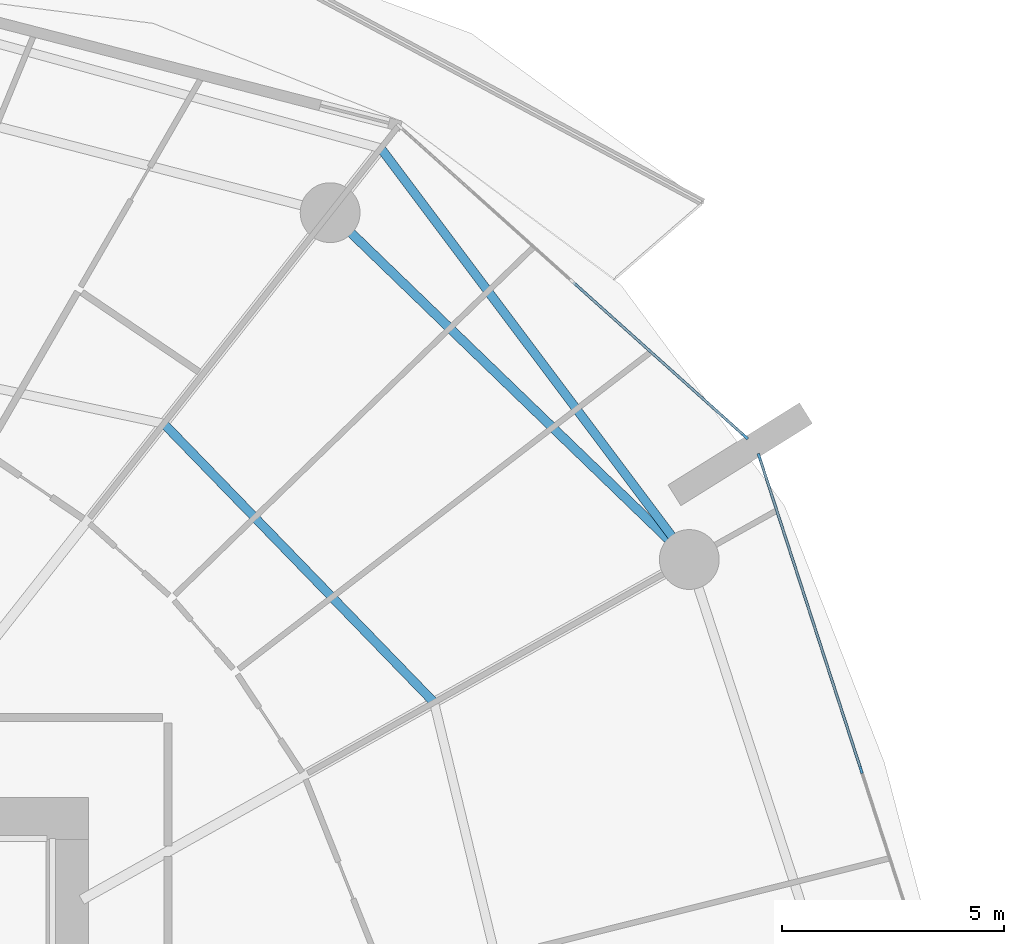
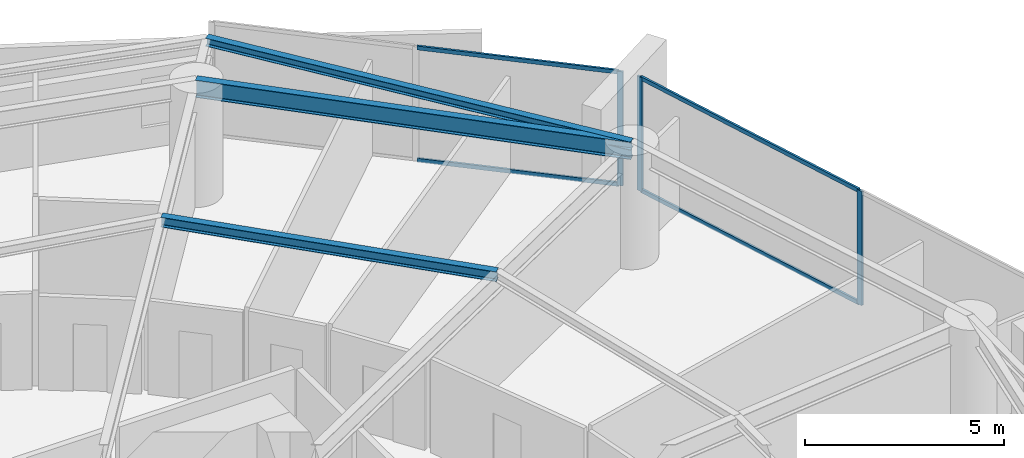
# One storey, part 15 of 31: 7 members, 3 beams, 2 elements without a shape of their own.
"""IFC4 building model written with IfcOpenShell, lengths in metres."""

from ifc_helpers import new_model, si_unit, direction, frame, origin, origin_2d, place, context, subcontext, project, spatial, rectangle, i_section, extrude, material, layer, layer_set, material_profile, profile_set, type_object, element, aggregate, save


model = new_model("IFC4")

# Units and contexts
model_context = context("Model", 3, precision=1e-05, world=origin(), true_north=direction((0.0, 1.0)))
body_context = subcontext(model_context, "Body", "Model", "MODEL_VIEW")
ifc_project = project(units=[si_unit("LENGTHUNIT", "METRE"), si_unit("AREAUNIT", "SQUARE_METRE"), si_unit("VOLUMEUNIT", "CUBIC_METRE"), si_unit("PLANEANGLEUNIT", "RADIAN"), si_unit("MASSUNIT", "GRAM", prefix="KILO")], contexts=[model_context])

# Site, building, storey
site_placement = place(None, origin())
site = spatial("IfcSite", under=ifc_project, at=site_placement, CompositionType="ELEMENT")
building_placement = place(site_placement, origin())
building = spatial("IfcBuilding", under=site, at=building_placement, Name="Kazma Halo Residences", CompositionType="ELEMENT")
storey_placement = place(building_placement, frame((0.0, 0.0, 45.14990234375)))
storey = spatial("IfcBuildingStorey", under=building, at=storey_placement, Name="L10", CompositionType="ELEMENT", Elevation=45.14990234375)

# Beams
ifc_material_1 = material(Name="Steel S355", Category="steel")
ifc_material_profile_1 = material_profile(ifc_material_1, i_section(OverallWidth=0.201904296875, OverallDepth=0.2470703125, WebThickness=0.00732421875, FlangeThickness=0.010986328125, FilletRadius=0.011962890625, at=origin_2d()), Name="W250x49.1")
ifc_profile_set_1 = profile_set([ifc_material_profile_1], Name="Steel S355")
beam_type_1 = type_object("IfcBeamType", Name="BM-BAL-CANT", PredefinedType="BEAM", material=ifc_profile_set_1)
beam_1_placement = place(storey_placement, frame((73.56494140625, 56.317138671875, 3.376708984375), z_axis=(-0.600026935007, 0.799979798037, 0.0), x_axis=(-0.799979798037, -0.600026935007, 0.0)))
element("IfcBeam", 1, at=beam_1_placement, inside=storey, type_object=beam_type_1, Name="L10 wave-balcony lead tie beam 01", PredefinedType="BEAM", context=body_context, shape_type="SweptSolid", body=[
    extrude(i_section(OverallWidth=0.201904296875, OverallDepth=0.2470703125, WebThickness=0.00732421875, FlangeThickness=0.010986328125, FilletRadius=0.011962890625, at=origin_2d()), origin(), (0.0, 0.0, 1.0), 11.601806640625),
])
ifc_material_profile_2 = material_profile(ifc_material_1, i_section(OverallWidth=0.202880859375, OverallDepth=0.302978515625, WebThickness=0.007568359375, FlangeThickness=0.01318359375, FilletRadius=0.013916015625, at=origin_2d()), Name="W310x60")
ifc_profile_set_2 = profile_set([ifc_material_profile_2], Name="Steel S355")
beam_type_2 = type_object("IfcBeamType", Name="BM-SEC-W310A", PredefinedType="JOIST", material=ifc_profile_set_2)
beam_2_placement = place(storey_placement, frame((67.8046875, 53.09130859375, 3.3486328125), z_axis=(-0.696130608567, 0.717915159205, 0.0), x_axis=(-0.717915159205, -0.696130608567, 0.0)))
element("IfcBeam", 2, at=beam_2_placement, inside=storey, type_object=beam_type_2, Name="L10 circumferential floor joist 01", PredefinedType="JOIST", context=body_context, shape_type="SweptSolid", body=[
    extrude(i_section(OverallWidth=0.202880859375, OverallDepth=0.302978515625, WebThickness=0.007568359375, FlangeThickness=0.01318359375, FilletRadius=0.013916015625, at=origin_2d()), origin(), (0.0, 0.0, 1.0), 8.763916015625),
])
ifc_material_profile_3 = material_profile(ifc_material_1, i_section(OverallWidth=0.208984375, OverallDepth=0.532958984375, WebThickness=0.01025390625, FlangeThickness=0.015625, FilletRadius=0.01611328125, at=origin_2d()), Name="W530x92")
ifc_profile_set_3 = profile_set([ifc_material_profile_3], Name="Steel S355")
beam_type_3 = type_object("IfcBeamType", Name="BM-SPN-W530", PredefinedType="BEAM", material=ifc_profile_set_3)
beam_3_placement = place(storey_placement, frame((73.56494140625, 56.317138671875, 3.233642578125), z_axis=(-0.719336506967, 0.694661780829, 0.0), x_axis=(-0.694661780829, -0.719336506967, 0.0)))
element("IfcBeam", 3, at=beam_3_placement, inside=storey, type_object=beam_type_3, Name="L10 perimeter ring beam 01", PredefinedType="BEAM", context=body_context, shape_type="SweptSolid", body=[
    extrude(i_section(OverallWidth=0.208984375, OverallDepth=0.532958984375, WebThickness=0.01025390625, FlangeThickness=0.015625, FilletRadius=0.01611328125, at=origin_2d()), origin(), (0.0, 0.0, 1.0), 11.269775390625),
])

# Curtain wall, member
ifc_material_2 = material(Name="Aluminium AW-6063 T6 and Triple-Silver Low-E Glass", Category="aluminium")
ifc_layer = layer(ifc_material_2, 0.159912109375)
ifc_layer_set = layer_set([ifc_layer], Name="Aluminium AW-6063 T6 and Triple-Silver Low-E Glass")
curtain_wall_type = type_object("IfcCurtainWallType", Name="CW-SYS-2", PredefinedType="NOTDEFINED", material=ifc_layer_set)
curtain_wall_1_placement = place(storey_placement, origin())
curtain_wall_1 = element("IfcCurtainWall", 4, at=curtain_wall_1_placement, inside=storey, type_object=curtain_wall_type, Name="L10 unitised curtain wall B01", PredefinedType="NOTDEFINED")
ifc_material_3 = material(Name="Aluminium AW-6063 T6", Category="aluminium")
ifc_material_profile_4 = material_profile(ifc_material_3, rectangle(XDim=0.06005859375, YDim=0.159912109375, at=origin_2d()), Name="CWM-60x160")
ifc_profile_set_4 = profile_set([ifc_material_profile_4], Name="Aluminium AW-6063 T6")
member_type_1 = type_object("IfcMemberType", Name="CW-SYS-2-MUL", PredefinedType="MULLION", material=ifc_profile_set_4)
member_1_placement = place(storey_placement, frame((74.82666015625, 59.091796875, 0.0), z_axis=(0.0, 0.0, 1.0), x_axis=(-0.667821453854, -0.744321506993, 0.0)))
member_1 = element("IfcMember", 5, at=member_1_placement, type_object=member_type_1, Name="CWS-2 mullion 1", PredefinedType="MULLION", context=body_context, shape_type="SweptSolid", body=[
    extrude(rectangle(XDim=0.06005859375, YDim=0.159912109375, at=origin_2d()), origin(), (0.0, 0.0, 1.0), 3.5),
])

# Curtain wall, members
curtain_wall_2_placement = place(storey_placement, origin())
curtain_wall_2 = element("IfcCurtainWall", 6, at=curtain_wall_2_placement, inside=storey, type_object=curtain_wall_type, Name="L10 unitised curtain wall B16", PredefinedType="NOTDEFINED")
member_2_placement = place(storey_placement, frame((77.44189453125, 51.56640625, 0.0), z_axis=(0.0, 0.0, 1.0), x_axis=(-0.95105652404, -0.309016970539, 0.0)))
member_2 = element("IfcMember", 7, at=member_2_placement, type_object=member_type_1, Name="CWS-2 mullion 2", PredefinedType="MULLION", context=body_context, shape_type="SweptSolid", body=[
    extrude(rectangle(XDim=0.06005859375, YDim=0.159912109375, at=origin_2d()), origin(), (0.0, 0.0, 1.0), 3.5),
])
member_3_placement = place(storey_placement, frame((75.145751953125, 58.63330078125, 0.0), z_axis=(0.0, 0.0, 1.0), x_axis=(-0.95105652404, -0.309016970539, 0.0)))
member_3 = element("IfcMember", 8, at=member_3_placement, type_object=member_type_1, Name="CWS-2 mullion 3", PredefinedType="MULLION", context=body_context, shape_type="SweptSolid", body=[
    extrude(rectangle(XDim=0.06005859375, YDim=0.159912109375, at=origin_2d()), origin(), (0.0, 0.0, 1.0), 3.5),
])

# Member
ifc_material_profile_5 = material_profile(ifc_material_3, rectangle(XDim=0.06005859375, YDim=0.1201171875, at=origin_2d()), Name="CWT-60x120")
ifc_profile_set_5 = profile_set([ifc_material_profile_5], Name="Aluminium AW-6063 T6")
member_type_2 = type_object("IfcMemberType", Name="CW-SYS-2-TRN", PredefinedType="USERDEFINED", material=ifc_profile_set_5)
member_4_placement = place(storey_placement, frame((74.80419921875, 59.11181640625, 0.030029296875), z_axis=(-0.744329408538, 0.66781264707, 0.0), x_axis=(-0.66781264707, -0.744329408538, 0.0)))
member_4 = element("IfcMember", 9, at=member_4_placement, type_object=member_type_2, Name="CWS-2 transom 1.1", ObjectType="TRANSOM", PredefinedType="USERDEFINED", context=body_context, shape_type="SweptSolid", body=[
    extrude(rectangle(XDim=0.06005859375, YDim=0.1201171875, at=origin_2d()), origin(), (0.0, 0.0, 1.0), 5.178466796875),
])

member_5_placement = place(storey_placement, frame((74.80419921875, 59.11181640625, 3.47021484375), z_axis=(-0.744329408538, 0.66781264707, 0.0), x_axis=(-0.66781264707, -0.744329408538, 0.0)))
member_5 = element("IfcMember", 10, at=member_5_placement, type_object=member_type_2, Name="CWS-2 transom 1.2", ObjectType="TRANSOM", PredefinedType="USERDEFINED", context=body_context, shape_type="SweptSolid", body=[
    extrude(rectangle(XDim=0.06005859375, YDim=0.1201171875, at=origin_2d()), origin(), (0.0, 0.0, 1.0), 5.178466796875),
])

aggregate(curtain_wall_1, [member_1, member_4, member_5])

member_6_placement = place(storey_placement, frame((77.4326171875, 51.5947265625, 0.030029296875), z_axis=(-0.309004433966, 0.951060597328, 0.0), x_axis=(-0.951060597328, -0.309004433966, 0.0)))
member_6 = element("IfcMember", 11, at=member_6_placement, type_object=member_type_2, Name="CWS-2 transom 2.1", ObjectType="TRANSOM", PredefinedType="USERDEFINED", context=body_context, shape_type="SweptSolid", body=[
    extrude(rectangle(XDim=0.06005859375, YDim=0.1201171875, at=origin_2d()), origin(), (0.0, 0.0, 1.0), 7.370849609375),
])

member_7_placement = place(storey_placement, frame((77.4326171875, 51.5947265625, 3.47021484375), z_axis=(-0.309004433966, 0.951060597328, 0.0), x_axis=(-0.951060597328, -0.309004433966, 0.0)))
member_7 = element("IfcMember", 12, at=member_7_placement, type_object=member_type_2, Name="CWS-2 transom 2.2", ObjectType="TRANSOM", PredefinedType="USERDEFINED", context=body_context, shape_type="SweptSolid", body=[
    extrude(rectangle(XDim=0.06005859375, YDim=0.1201171875, at=origin_2d()), origin(), (0.0, 0.0, 1.0), 7.370849609375),
])

aggregate(curtain_wall_2, [member_2, member_3, member_6, member_7])

save(model, "model.ifc")
